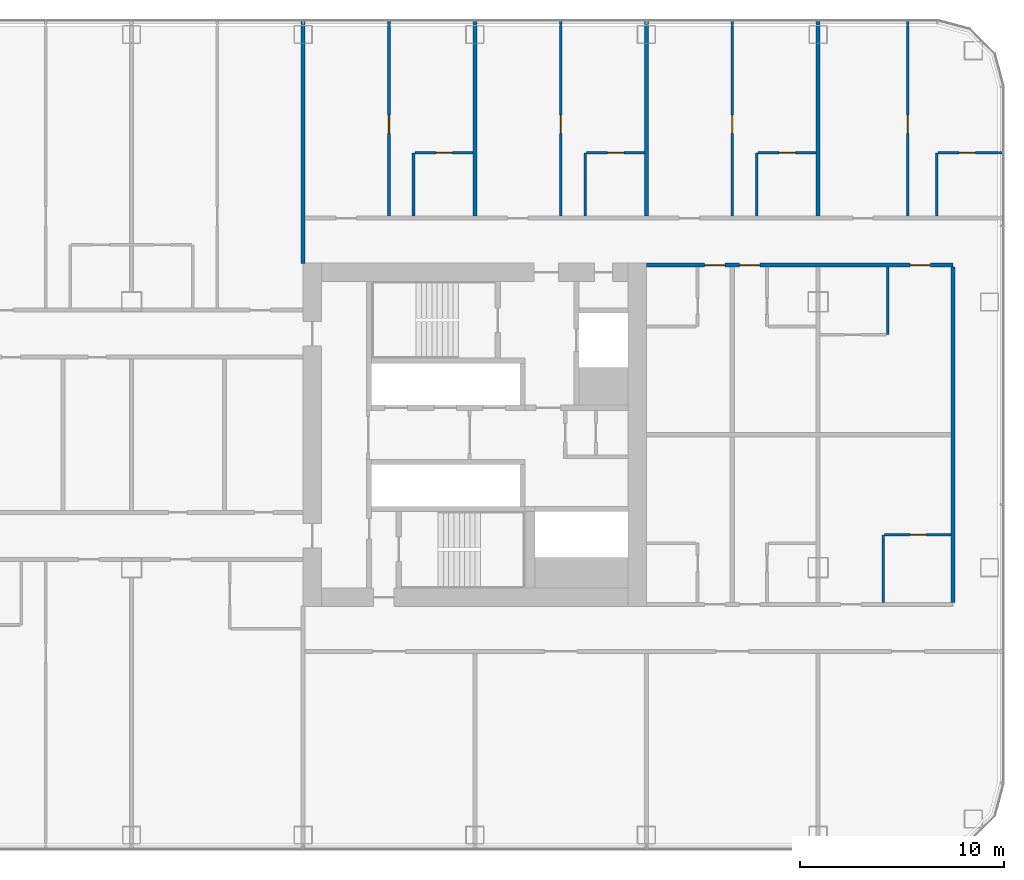
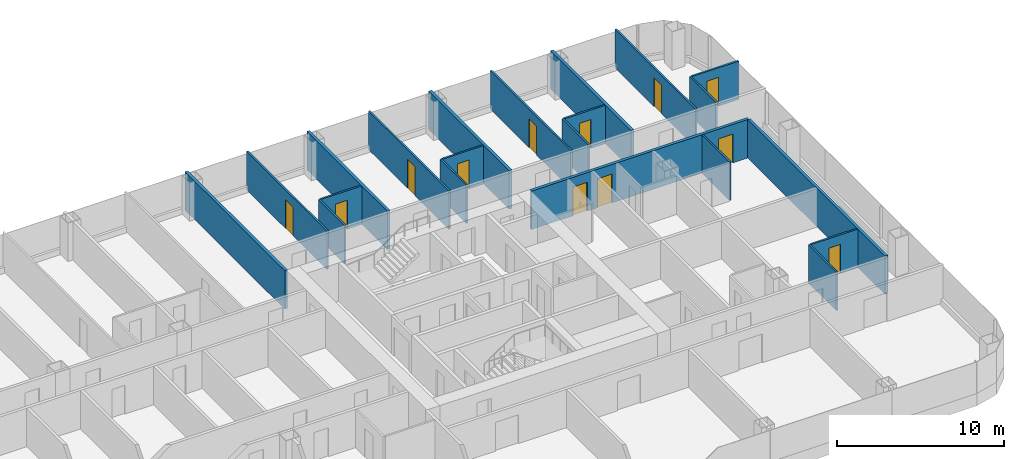
# One storey, part 19 of 28: 21 walls, 12 doors, 12 openings.
"""IFC4 building model written with IfcOpenShell, lengths in metres."""

from ifc_helpers import new_model, si_unit, direction, frame, frame_2d, origin, place, context, subcontext, project, spatial, rectangle, extrude, material, layer, layer_set, type_object, element, fill, save


model = new_model("IFC4")

# Units and contexts
model_context = context("Model", 3, precision=1e-05, world=origin(), true_north=direction((0.0, 1.0)))
body_context = subcontext(model_context, "Body", "Model", "MODEL_VIEW")
ifc_project = project(units=[si_unit("LENGTHUNIT", "METRE"), si_unit("AREAUNIT", "SQUARE_METRE"), si_unit("VOLUMEUNIT", "CUBIC_METRE"), si_unit("PLANEANGLEUNIT", "RADIAN"), si_unit("MASSUNIT", "GRAM", prefix="KILO")], contexts=[model_context])

# Site, building, storey
site_placement = place(None, origin())
site = spatial("IfcSite", under=ifc_project, at=site_placement, CompositionType="ELEMENT")
building_placement = place(site_placement, origin())
building = spatial("IfcBuilding", under=site, at=building_placement, Name="Hakoniwa Tower and Hamabe Station Hall", CompositionType="ELEMENT")
storey_placement = place(building_placement, frame((0.0, 0.0, 32.60009765625)))
storey = spatial("IfcBuildingStorey", under=building, at=storey_placement, Name="L08", CompositionType="ELEMENT", Elevation=32.60009765625)

# Wall, opening, door
ifc_material_1 = material(Name="Gypsum board partition", Category="gypsum")
ifc_layer_1 = layer(ifc_material_1, 0.125)
ifc_layer_set_1 = layer_set([ifc_layer_1], Name="Bathroom Partition 125")
wall_type_1 = type_object("IfcWallType", Name="Bathroom Partition 125", PredefinedType="PARTITIONING", material=ifc_layer_set_1)
wall_1_placement = place(storey_placement, frame((45.262451171875, -4.89990234375, 0.0), z_axis=(0.0, 0.0, 1.0), x_axis=(1.0, 0.0, 0.0)))
wall_1 = element("IfcWall", 1, at=wall_1_placement, inside=storey, type_object=wall_type_1, Name="GW-L08-013", PredefinedType="PARTITIONING", context=body_context, shape_type="SweptSolid", body=[
    extrude(rectangle(XDim=3.237548828125, YDim=0.125, at=frame_2d((1.61865234375, 0.0))), origin(), (0.0, 0.0, 1.0), 2.7998046875),
])
opening_1_placement = place(wall_1_placement, frame((1.237548828125, 0.0, 0.0)))
opening_1 = element("IfcOpeningElement", 2, at=opening_1_placement, cuts=wall_1, Name="Opening GD-G1E0-26", PredefinedType="OPENING", context=body_context, shape_type="SweptSolid", body=[
    extrude(rectangle(XDim=0.800048828125, YDim=2.10009765625, at=frame_2d((0.39990234375, 1.050048828125))), frame((0.0, 0.072509765625, 0.0), z_axis=(0.0, -1.0, 0.0), x_axis=(1.0, 0.0, 0.0)), (0.0, 0.0, 1.0), 0.14501953125),
])
ifc_material_2 = material(Name="Timber door leaf", Category="wood")
door_type_1 = type_object("IfcDoorType", Name="Bathroom Door 800", OperationType="SINGLE_SWING_LEFT", PredefinedType="DOOR", material=ifc_material_2)
door_1_placement = place(opening_1_placement, origin())
door_1 = element("IfcDoor", 3, at=door_1_placement, inside=storey, type_object=door_type_1, Name="Door GD-G1E0-26", OperationType="SINGLE_SWING_RIGHT", OverallHeight=2.10009765625, OverallWidth=0.800048828125, PredefinedType="DOOR", context=body_context, shape_type="SweptSolid", body=[
    extrude(rectangle(XDim=0.800048828125, YDim=2.10009765625, at=frame_2d((0.39990234375, 1.050048828125))), frame((0.0, 0.02490234375, 0.0), z_axis=(0.0, -1.0, 0.0), x_axis=(1.0, 0.0, 0.0)), (0.0, 0.0, 1.0), 0.050048828125),
])
fill(opening_1, door_1)

wall_2_placement = place(storey_placement, frame((22.262451171875, 13.800048828125, 0.0), z_axis=(0.0, 0.0, 1.0), x_axis=(1.0, 0.0, 0.0)))
wall_2 = element("IfcWall", 4, at=wall_2_placement, inside=storey, type_object=wall_type_1, Name="GW-L08-032", PredefinedType="PARTITIONING", context=body_context, shape_type="SweptSolid", body=[
    extrude(rectangle(XDim=2.837646484375, YDim=0.125, at=frame_2d((1.4189453125, 0.0))), origin(), (0.0, 0.0, 1.0), 2.7998046875),
])
opening_2_placement = place(wall_2_placement, frame((1.03759765625, 0.0, 0.0)))
opening_2 = element("IfcOpeningElement", 5, at=opening_2_placement, cuts=wall_2, Name="Opening GD-G1E0-60", PredefinedType="OPENING", context=body_context, shape_type="SweptSolid", body=[
    extrude(rectangle(XDim=0.800048828125, YDim=2.10009765625, at=frame_2d((0.39990234375, 1.050048828125))), frame((0.0, 0.072509765625, 0.0), z_axis=(0.0, -1.0, 0.0), x_axis=(1.0, 0.0, 0.0)), (0.0, 0.0, 1.0), 0.14501953125),
])
door_2_placement = place(opening_2_placement, origin())
door_2 = element("IfcDoor", 6, at=door_2_placement, inside=storey, type_object=door_type_1, Name="Door GD-G1E0-60", OperationType="SINGLE_SWING_RIGHT", OverallHeight=2.10009765625, OverallWidth=0.800048828125, PredefinedType="DOOR", context=body_context, shape_type="SweptSolid", body=[
    extrude(rectangle(XDim=0.800048828125, YDim=2.10009765625, at=frame_2d((0.39990234375, 1.050048828125))), frame((0.0, 0.02490234375, 0.0), z_axis=(0.0, -1.0, 0.0), x_axis=(1.0, 0.0, 0.0)), (0.0, 0.0, 1.0), 0.050048828125),
])
fill(opening_2, door_2)

wall_3_placement = place(storey_placement, frame((30.66259765625, 13.800048828125, 0.0), z_axis=(0.0, 0.0, 1.0), x_axis=(1.0, 0.0, 0.0)))
wall_3 = element("IfcWall", 7, at=wall_3_placement, inside=storey, type_object=wall_type_1, Name="GW-L08-033", PredefinedType="PARTITIONING", context=body_context, shape_type="SweptSolid", body=[
    extrude(rectangle(XDim=2.83740234375, YDim=0.125, at=frame_2d((1.418701171875, 0.0))), origin(), (0.0, 0.0, 1.0), 2.7998046875),
])
opening_3_placement = place(wall_3_placement, frame((1.03759765625, 0.0, 0.0)))
opening_3 = element("IfcOpeningElement", 8, at=opening_3_placement, cuts=wall_3, Name="Opening GD-G1E0-61", PredefinedType="OPENING", context=body_context, shape_type="SweptSolid", body=[
    extrude(rectangle(XDim=0.800048828125, YDim=2.10009765625, at=frame_2d((0.39990234375, 1.050048828125))), frame((0.0, 0.072509765625, 0.0), z_axis=(0.0, -1.0, 0.0), x_axis=(1.0, 0.0, 0.0)), (0.0, 0.0, 1.0), 0.14501953125),
])
door_3_placement = place(opening_3_placement, origin())
door_3 = element("IfcDoor", 9, at=door_3_placement, inside=storey, type_object=door_type_1, Name="Door GD-G1E0-61", OperationType="SINGLE_SWING_LEFT", OverallHeight=2.10009765625, OverallWidth=0.800048828125, PredefinedType="DOOR", context=body_context, shape_type="SweptSolid", body=[
    extrude(rectangle(XDim=0.800048828125, YDim=2.10009765625, at=frame_2d((0.39990234375, 1.050048828125))), frame((0.0, 0.02490234375, 0.0), z_axis=(0.0, -1.0, 0.0), x_axis=(1.0, 0.0, 0.0)), (0.0, 0.0, 1.0), 0.050048828125),
])
fill(opening_3, door_3)

wall_4_placement = place(storey_placement, frame((39.0625, 13.800048828125, 0.0), z_axis=(0.0, 0.0, 1.0), x_axis=(1.0, 0.0, 0.0)))
wall_4 = element("IfcWall", 10, at=wall_4_placement, inside=storey, type_object=wall_type_1, Name="GW-L08-034", PredefinedType="PARTITIONING", context=body_context, shape_type="SweptSolid", body=[
    extrude(rectangle(XDim=2.83740234375, YDim=0.125, at=frame_2d((1.418701171875, 0.0))), origin(), (0.0, 0.0, 1.0), 2.7998046875),
])
opening_4_placement = place(wall_4_placement, frame((1.03759765625, 0.0, 0.0)))
opening_4 = element("IfcOpeningElement", 11, at=opening_4_placement, cuts=wall_4, Name="Opening GD-G1E0-62", PredefinedType="OPENING", context=body_context, shape_type="SweptSolid", body=[
    extrude(rectangle(XDim=0.800048828125, YDim=2.10009765625, at=frame_2d((0.39990234375, 1.050048828125))), frame((0.0, 0.072509765625, 0.0), z_axis=(0.0, -1.0, 0.0), x_axis=(1.0, 0.0, 0.0)), (0.0, 0.0, 1.0), 0.14501953125),
])
door_4_placement = place(opening_4_placement, origin())
door_4 = element("IfcDoor", 12, at=door_4_placement, inside=storey, type_object=door_type_1, Name="Door GD-G1E0-62", OperationType="SINGLE_SWING_RIGHT", OverallHeight=2.10009765625, OverallWidth=0.800048828125, PredefinedType="DOOR", context=body_context, shape_type="SweptSolid", body=[
    extrude(rectangle(XDim=0.800048828125, YDim=2.10009765625, at=frame_2d((0.39990234375, 1.050048828125))), frame((0.0, 0.02490234375, 0.0), z_axis=(0.0, -1.0, 0.0), x_axis=(1.0, 0.0, 0.0)), (0.0, 0.0, 1.0), 0.050048828125),
])
fill(opening_4, door_4)

wall_5_placement = place(storey_placement, frame((47.862548828125, 13.800048828125, 0.0), z_axis=(0.0, 0.0, 1.0), x_axis=(1.0, 0.0, 0.0)))
wall_5 = element("IfcWall", 13, at=wall_5_placement, inside=storey, type_object=wall_type_1, Name="GW-L08-035", PredefinedType="PARTITIONING", context=body_context, shape_type="SweptSolid", body=[
    extrude(rectangle(XDim=3.237548828125, YDim=0.125, at=frame_2d((1.61865234375, 0.0))), origin(), (0.0, 0.0, 1.0), 2.7998046875),
])
opening_5_placement = place(wall_5_placement, frame((1.03759765625, 0.0, 0.0)))
opening_5 = element("IfcOpeningElement", 14, at=opening_5_placement, cuts=wall_5, Name="Opening GD-G1E0-63", PredefinedType="OPENING", context=body_context, shape_type="SweptSolid", body=[
    extrude(rectangle(XDim=0.800048828125, YDim=2.10009765625, at=frame_2d((0.39990234375, 1.050048828125))), frame((0.0, 0.072509765625, 0.0), z_axis=(0.0, -1.0, 0.0), x_axis=(1.0, 0.0, 0.0)), (0.0, 0.0, 1.0), 0.14501953125),
])
door_5_placement = place(opening_5_placement, origin())
door_5 = element("IfcDoor", 15, at=door_5_placement, inside=storey, type_object=door_type_1, Name="Door GD-G1E0-63", OperationType="SINGLE_SWING_LEFT", OverallHeight=2.10009765625, OverallWidth=0.800048828125, PredefinedType="DOOR", context=body_context, shape_type="SweptSolid", body=[
    extrude(rectangle(XDim=0.800048828125, YDim=2.10009765625, at=frame_2d((0.39990234375, 1.050048828125))), frame((0.0, 0.02490234375, 0.0), z_axis=(0.0, -1.0, 0.0), x_axis=(1.0, 0.0, 0.0)), (0.0, 0.0, 1.0), 0.050048828125),
])
fill(opening_5, door_5)

# Walls
for number, where, z_axis, x_axis, name in (
    (16, (22.199951171875, 10.699951171875, 0.0), (0.0, 0.0, 1.0), (0.0, 1.0, 0.0), "GW-L08-088"),
    (17, (30.60009765625, 10.699951171875, 0.0), (0.0, 0.0, 1.0), (0.0, 1.0, 0.0), "GW-L08-092"),
    (18, (39.0, 10.699951171875, 0.0), (0.0, 0.0, 1.0), (0.0, 1.0, 0.0), "GW-L08-099"),
):
    element("IfcWall", number, at=place(storey_placement, frame(where, z_axis=z_axis, x_axis=x_axis)), inside=storey, type_object=wall_type_1, Name=name, PredefinedType="PARTITIONING", context=body_context, shape_type="SweptSolid", body=[
        extrude(rectangle(XDim=3.10009765625, YDim=0.125, at=frame_2d((1.550048828125, 0.0))), origin(), (0.0, 0.0, 1.0), 2.7998046875),
    ])
for number, where, z_axis, x_axis, name in (
    (19, (45.199951171875, -8.199951171875, 0.0), (0.0, 0.0, 1.0), (0.0, 1.0, 0.0), "GW-L08-105"),
    (20, (45.39990234375, 4.89990234375, 0.0), (0.0, 0.0, 1.0), (0.0, 1.0, 0.0), "GW-L08-106"),
):
    element("IfcWall", number, at=place(storey_placement, frame(where, z_axis=z_axis, x_axis=x_axis)), inside=storey, type_object=wall_type_1, Name=name, PredefinedType="PARTITIONING", context=body_context, shape_type="SweptSolid", body=[
        extrude(rectangle(XDim=3.300048828125, YDim=0.125, at=frame_2d((1.64990234375, 0.0))), origin(), (0.0, 0.0, 1.0), 2.7998046875),
    ])
wall_6_placement = place(storey_placement, frame((47.800048828125, 10.699951171875, 0.0), z_axis=(0.0, 0.0, 1.0), x_axis=(0.0, 1.0, 0.0)))
element("IfcWall", 21, at=wall_6_placement, inside=storey, type_object=wall_type_1, Name="GW-L08-108", PredefinedType="PARTITIONING", context=body_context, shape_type="SweptSolid", body=[
    extrude(rectangle(XDim=3.10009765625, YDim=0.125, at=frame_2d((1.550048828125, 0.0))), origin(), (0.0, 0.0, 1.0), 2.7998046875),
])

# Wall, openings, doors
ifc_material_3 = material(Name="Fire-rated gypsum board partition", Category="gypsum")
ifc_layer_2 = layer(ifc_material_3, 0.199951171875)
ifc_layer_set_2 = layer_set([ifc_layer_2], Name="Corridor Wall 200")
wall_type_2 = type_object("IfcWallType", Name="Corridor Wall 200", PredefinedType="PARTITIONING", material=ifc_layer_set_2)
wall_7_placement = place(storey_placement, frame((33.60009765625, 8.300048828125, 0.0), z_axis=(0.0, 0.0, 1.0), x_axis=(1.0, 0.0, 0.0)))
wall_7 = element("IfcWall", 22, at=wall_7_placement, inside=storey, type_object=wall_type_2, Name="GW-L08-026", PredefinedType="PARTITIONING", context=body_context, shape_type="SweptSolid", body=[
    extrude(rectangle(XDim=15.0, YDim=0.199951171875, at=frame_2d((7.5, 0.0))), origin(), (0.0, 0.0, 1.0), 2.7998046875),
])
opening_6_placement = place(wall_7_placement, frame((2.85009765625, 0.0, 0.0)))
opening_6 = element("IfcOpeningElement", 23, at=opening_6_placement, cuts=wall_7, Name="Opening GD-G1E0-43", PredefinedType="OPENING", context=body_context, shape_type="SweptSolid", body=[
    extrude(rectangle(XDim=1.0, YDim=2.10009765625, at=frame_2d((0.5, 1.050048828125))), frame((0.0, 0.10986328125, 0.0), z_axis=(0.0, -1.0, 0.0), x_axis=(1.0, 0.0, 0.0)), (0.0, 0.0, 1.0), 0.219970703125),
])
opening_7_placement = place(wall_7_placement, frame((4.550048828125, 0.0, 0.0)))
opening_7 = element("IfcOpeningElement", 24, at=opening_7_placement, cuts=wall_7, Name="Opening GD-G1E0-44", PredefinedType="OPENING", context=body_context, shape_type="SweptSolid", body=[
    extrude(rectangle(XDim=1.0, YDim=2.10009765625, at=frame_2d((0.5, 1.050048828125))), frame((0.0, 0.10986328125, 0.0), z_axis=(0.0, -1.0, 0.0), x_axis=(1.0, 0.0, 0.0)), (0.0, 0.0, 1.0), 0.219970703125),
])
opening_8_placement = place(wall_7_placement, frame((12.89990234375, 0.0, 0.0)))
opening_8 = element("IfcOpeningElement", 25, at=opening_8_placement, cuts=wall_7, Name="Opening GD-G1E0-45", PredefinedType="OPENING", context=body_context, shape_type="SweptSolid", body=[
    extrude(rectangle(XDim=1.0, YDim=2.10009765625, at=frame_2d((0.5, 1.050048828125))), frame((0.0, 0.10986328125, 0.0), z_axis=(0.0, -1.0, 0.0), x_axis=(1.0, 0.0, 0.0)), (0.0, 0.0, 1.0), 0.219970703125),
])
ifc_material_4 = material(Name="Timber door leaf", Category="wood")
door_type_2 = type_object("IfcDoorType", Name="Guest Entrance Door 1000", OperationType="SINGLE_SWING_LEFT", PredefinedType="DOOR", material=ifc_material_4)
door_6_placement = place(opening_6_placement, origin())
door_6 = element("IfcDoor", 26, at=door_6_placement, inside=storey, type_object=door_type_2, Name="Door GD-G1E0-43", OperationType="SINGLE_SWING_LEFT", OverallHeight=2.10009765625, OverallWidth=1.0, PredefinedType="DOOR", context=body_context, shape_type="SweptSolid", body=[
    extrude(rectangle(XDim=1.0, YDim=2.10009765625, at=frame_2d((0.5, 1.050048828125))), frame((0.0, 0.02490234375, 0.0), z_axis=(0.0, -1.0, 0.0), x_axis=(1.0, 0.0, 0.0)), (0.0, 0.0, 1.0), 0.050048828125),
])
fill(opening_6, door_6)
door_7_placement = place(opening_7_placement, origin())
door_7 = element("IfcDoor", 27, at=door_7_placement, inside=storey, type_object=door_type_2, Name="Door GD-G1E0-44", OperationType="SINGLE_SWING_RIGHT", OverallHeight=2.10009765625, OverallWidth=1.0, PredefinedType="DOOR", context=body_context, shape_type="SweptSolid", body=[
    extrude(rectangle(XDim=1.0, YDim=2.10009765625, at=frame_2d((0.5, 1.050048828125))), frame((0.0, 0.02490234375, 0.0), z_axis=(0.0, -1.0, 0.0), x_axis=(1.0, 0.0, 0.0)), (0.0, 0.0, 1.0), 0.050048828125),
])
fill(opening_7, door_7)
door_8_placement = place(opening_8_placement, origin())
door_8 = element("IfcDoor", 28, at=door_8_placement, inside=storey, type_object=door_type_2, Name="Door GD-G1E0-45", OperationType="SINGLE_SWING_LEFT", OverallHeight=2.10009765625, OverallWidth=1.0, PredefinedType="DOOR", context=body_context, shape_type="SweptSolid", body=[
    extrude(rectangle(XDim=1.0, YDim=2.10009765625, at=frame_2d((0.5, 1.050048828125))), frame((0.0, 0.02490234375, 0.0), z_axis=(0.0, -1.0, 0.0), x_axis=(1.0, 0.0, 0.0)), (0.0, 0.0, 1.0), 0.050048828125),
])
fill(opening_8, door_8)

# Walls
ifc_material_5 = material(Name="Fire-rated gypsum board partition", Category="gypsum")
ifc_layer_3 = layer(ifc_material_5, 0.199951171875)
ifc_layer_set_3 = layer_set([ifc_layer_3], Name="Party Wall 200")
wall_type_3 = type_object("IfcWallType", Name="Party Wall 200", PredefinedType="PARTITIONING", material=ifc_layer_set_3)
wall_8_placement = place(storey_placement, frame((16.800048828125, 8.389892578125, 0.0), z_axis=(0.0, 0.0, 1.0), x_axis=(0.0, 1.0, 0.0)))
element("IfcWall", 29, at=wall_8_placement, inside=storey, type_object=wall_type_3, Name="GW-L08-086", PredefinedType="PARTITIONING", context=body_context, shape_type="SweptSolid", body=[
    extrude(rectangle(XDim=11.91015625, YDim=0.199951171875, at=frame_2d((5.955078125, 0.0))), origin(), (0.0, 0.0, 1.0), 2.7998046875),
])
for number, where, z_axis, x_axis, name in (
    (30, (25.199951171875, 10.699951171875, 0.0), (0.0, 0.0, 1.0), (0.0, 1.0, 0.0), "GW-L08-090"),
    (31, (33.60009765625, 10.699951171875, 0.0), (0.0, 0.0, 1.0), (0.0, 1.0, 0.0), "GW-L08-094"),
    (32, (42.0, 10.699951171875, 0.0), (0.0, 0.0, 1.0), (0.0, 1.0, 0.0), "GW-L08-104"),
):
    element("IfcWall", number, at=place(storey_placement, frame(where, z_axis=z_axis, x_axis=x_axis)), inside=storey, type_object=wall_type_3, Name=name, PredefinedType="PARTITIONING", context=body_context, shape_type="SweptSolid", body=[
        extrude(rectangle(XDim=9.60009765625, YDim=0.199951171875, at=frame_2d((4.800048828125, 0.0))), origin(), (0.0, 0.0, 1.0), 2.7998046875),
    ])
wall_9_placement = place(storey_placement, frame((48.60009765625, -8.199951171875, 0.0), z_axis=(0.0, 0.0, 1.0), x_axis=(0.0, 1.0, 0.0)))
element("IfcWall", 33, at=wall_9_placement, inside=storey, type_object=wall_type_3, Name="GW-L08-109", PredefinedType="PARTITIONING", context=body_context, shape_type="SweptSolid", body=[
    extrude(rectangle(XDim=16.39990234375, YDim=0.199951171875, at=frame_2d((8.199951171875, 0.0))), origin(), (0.0, 0.0, 1.0), 2.7998046875),
])

# Wall, opening, door
ifc_material_6 = material(Name="Gypsum board partition", Category="gypsum")
ifc_layer_4 = layer(ifc_material_6, 0.125)
ifc_layer_set_4 = layer_set([ifc_layer_4], Name="Room Partition 125")
wall_type_4 = type_object("IfcWallType", Name="Room Partition 125", PredefinedType="PARTITIONING", material=ifc_layer_set_4)
wall_10_placement = place(storey_placement, frame((21.0, 10.699951171875, 0.0), z_axis=(0.0, 0.0, 1.0), x_axis=(0.0, 1.0, 0.0)))
wall_10 = element("IfcWall", 34, at=wall_10_placement, inside=storey, type_object=wall_type_4, Name="GW-L08-087", PredefinedType="PARTITIONING", context=body_context, shape_type="SweptSolid", body=[
    extrude(rectangle(XDim=9.60009765625, YDim=0.125, at=frame_2d((4.800048828125, 0.0))), origin(), (0.0, 0.0, 1.0), 2.7998046875),
])
opening_9_placement = place(wall_10_placement, frame((4.050048828125, 0.0, 0.0)))
opening_9 = element("IfcOpeningElement", 35, at=opening_9_placement, cuts=wall_10, Name="Opening GD-G1E0-75", PredefinedType="OPENING", context=body_context, shape_type="SweptSolid", body=[
    extrude(rectangle(XDim=0.89990234375, YDim=2.10009765625, at=frame_2d((0.449951171875, 1.050048828125))), frame((0.0, 0.072509765625, 0.0), z_axis=(0.0, -1.0, 0.0), x_axis=(1.0, 0.0, 0.0)), (0.0, 0.0, 1.0), 0.14501953125),
])
ifc_material_7 = material(Name="Timber door leaf", Category="wood")
door_type_3 = type_object("IfcDoorType", Name="Suite Interior Door 900", OperationType="SINGLE_SWING_LEFT", PredefinedType="DOOR", material=ifc_material_7)
door_9_placement = place(opening_9_placement, origin())
door_9 = element("IfcDoor", 36, at=door_9_placement, inside=storey, type_object=door_type_3, Name="Door GD-G1E0-75", OperationType="SINGLE_SWING_RIGHT", OverallHeight=2.10009765625, OverallWidth=0.89990234375, PredefinedType="DOOR", context=body_context, shape_type="SweptSolid", body=[
    extrude(rectangle(XDim=0.89990234375, YDim=2.10009765625, at=frame_2d((0.449951171875, 1.050048828125))), frame((0.0, 0.02490234375, 0.0), z_axis=(0.0, -1.0, 0.0), x_axis=(1.0, 0.0, 0.0)), (0.0, 0.0, 1.0), 0.050048828125),
])
fill(opening_9, door_9)

wall_11_placement = place(storey_placement, frame((29.39990234375, 10.699951171875, 0.0), z_axis=(0.0, 0.0, 1.0), x_axis=(0.0, 1.0, 0.0)))
wall_11 = element("IfcWall", 37, at=wall_11_placement, inside=storey, type_object=wall_type_4, Name="GW-L08-091", PredefinedType="PARTITIONING", context=body_context, shape_type="SweptSolid", body=[
    extrude(rectangle(XDim=9.60009765625, YDim=0.125, at=frame_2d((4.800048828125, 0.0))), origin(), (0.0, 0.0, 1.0), 2.7998046875),
])
opening_10_placement = place(wall_11_placement, frame((4.050048828125, 0.0, 0.0)))
opening_10 = element("IfcOpeningElement", 38, at=opening_10_placement, cuts=wall_11, Name="Opening GD-G1E0-76", PredefinedType="OPENING", context=body_context, shape_type="SweptSolid", body=[
    extrude(rectangle(XDim=0.89990234375, YDim=2.10009765625, at=frame_2d((0.449951171875, 1.050048828125))), frame((0.0, 0.072509765625, 0.0), z_axis=(0.0, -1.0, 0.0), x_axis=(1.0, 0.0, 0.0)), (0.0, 0.0, 1.0), 0.14501953125),
])
door_10_placement = place(opening_10_placement, origin())
door_10 = element("IfcDoor", 39, at=door_10_placement, inside=storey, type_object=door_type_3, Name="Door GD-G1E0-76", OperationType="SINGLE_SWING_LEFT", OverallHeight=2.10009765625, OverallWidth=0.89990234375, PredefinedType="DOOR", context=body_context, shape_type="SweptSolid", body=[
    extrude(rectangle(XDim=0.89990234375, YDim=2.10009765625, at=frame_2d((0.449951171875, 1.050048828125))), frame((0.0, 0.02490234375, 0.0), z_axis=(0.0, -1.0, 0.0), x_axis=(1.0, 0.0, 0.0)), (0.0, 0.0, 1.0), 0.050048828125),
])
fill(opening_10, door_10)

wall_12_placement = place(storey_placement, frame((37.800048828125, 10.699951171875, 0.0), z_axis=(0.0, 0.0, 1.0), x_axis=(0.0, 1.0, 0.0)))
wall_12 = element("IfcWall", 40, at=wall_12_placement, inside=storey, type_object=wall_type_4, Name="GW-L08-098", PredefinedType="PARTITIONING", context=body_context, shape_type="SweptSolid", body=[
    extrude(rectangle(XDim=9.60009765625, YDim=0.125, at=frame_2d((4.800048828125, 0.0))), origin(), (0.0, 0.0, 1.0), 2.7998046875),
])
opening_11_placement = place(wall_12_placement, frame((4.050048828125, 0.0, 0.0)))
opening_11 = element("IfcOpeningElement", 41, at=opening_11_placement, cuts=wall_12, Name="Opening GD-G1E0-79", PredefinedType="OPENING", context=body_context, shape_type="SweptSolid", body=[
    extrude(rectangle(XDim=0.89990234375, YDim=2.10009765625, at=frame_2d((0.449951171875, 1.050048828125))), frame((0.0, 0.072509765625, 0.0), z_axis=(0.0, -1.0, 0.0), x_axis=(1.0, 0.0, 0.0)), (0.0, 0.0, 1.0), 0.14501953125),
])
door_11_placement = place(opening_11_placement, origin())
door_11 = element("IfcDoor", 42, at=door_11_placement, inside=storey, type_object=door_type_3, Name="Door GD-G1E0-79", OperationType="SINGLE_SWING_RIGHT", OverallHeight=2.10009765625, OverallWidth=0.89990234375, PredefinedType="DOOR", context=body_context, shape_type="SweptSolid", body=[
    extrude(rectangle(XDim=0.89990234375, YDim=2.10009765625, at=frame_2d((0.449951171875, 1.050048828125))), frame((0.0, 0.02490234375, 0.0), z_axis=(0.0, -1.0, 0.0), x_axis=(1.0, 0.0, 0.0)), (0.0, 0.0, 1.0), 0.050048828125),
])
fill(opening_11, door_11)

wall_13_placement = place(storey_placement, frame((46.39990234375, 10.699951171875, 0.0), z_axis=(0.0, 0.0, 1.0), x_axis=(0.0, 1.0, 0.0)))
wall_13 = element("IfcWall", 43, at=wall_13_placement, inside=storey, type_object=wall_type_4, Name="GW-L08-107", PredefinedType="PARTITIONING", context=body_context, shape_type="SweptSolid", body=[
    extrude(rectangle(XDim=9.60009765625, YDim=0.125, at=frame_2d((4.800048828125, 0.0))), origin(), (0.0, 0.0, 1.0), 2.7998046875),
])
opening_12_placement = place(wall_13_placement, frame((4.050048828125, 0.0, 0.0)))
opening_12 = element("IfcOpeningElement", 44, at=opening_12_placement, cuts=wall_13, Name="Opening GD-G1E0-82", PredefinedType="OPENING", context=body_context, shape_type="SweptSolid", body=[
    extrude(rectangle(XDim=0.89990234375, YDim=2.10009765625, at=frame_2d((0.449951171875, 1.050048828125))), frame((0.0, 0.072509765625, 0.0), z_axis=(0.0, -1.0, 0.0), x_axis=(1.0, 0.0, 0.0)), (0.0, 0.0, 1.0), 0.14501953125),
])
door_12_placement = place(opening_12_placement, origin())
door_12 = element("IfcDoor", 45, at=door_12_placement, inside=storey, type_object=door_type_3, Name="Door GD-G1E0-82", OperationType="SINGLE_SWING_RIGHT", OverallHeight=2.10009765625, OverallWidth=0.89990234375, PredefinedType="DOOR", context=body_context, shape_type="SweptSolid", body=[
    extrude(rectangle(XDim=0.89990234375, YDim=2.10009765625, at=frame_2d((0.449951171875, 1.050048828125))), frame((0.0, 0.02490234375, 0.0), z_axis=(0.0, -1.0, 0.0), x_axis=(1.0, 0.0, 0.0)), (0.0, 0.0, 1.0), 0.050048828125),
])
fill(opening_12, door_12)

save(model, "model.ifc")
